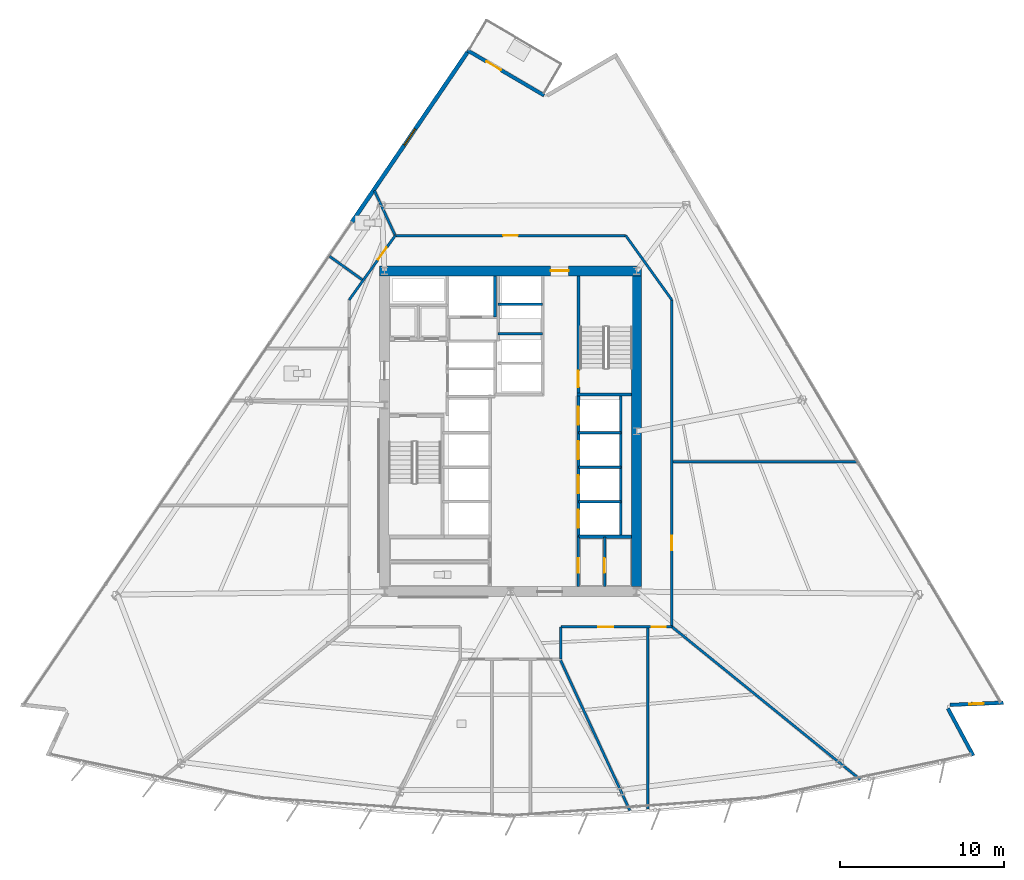
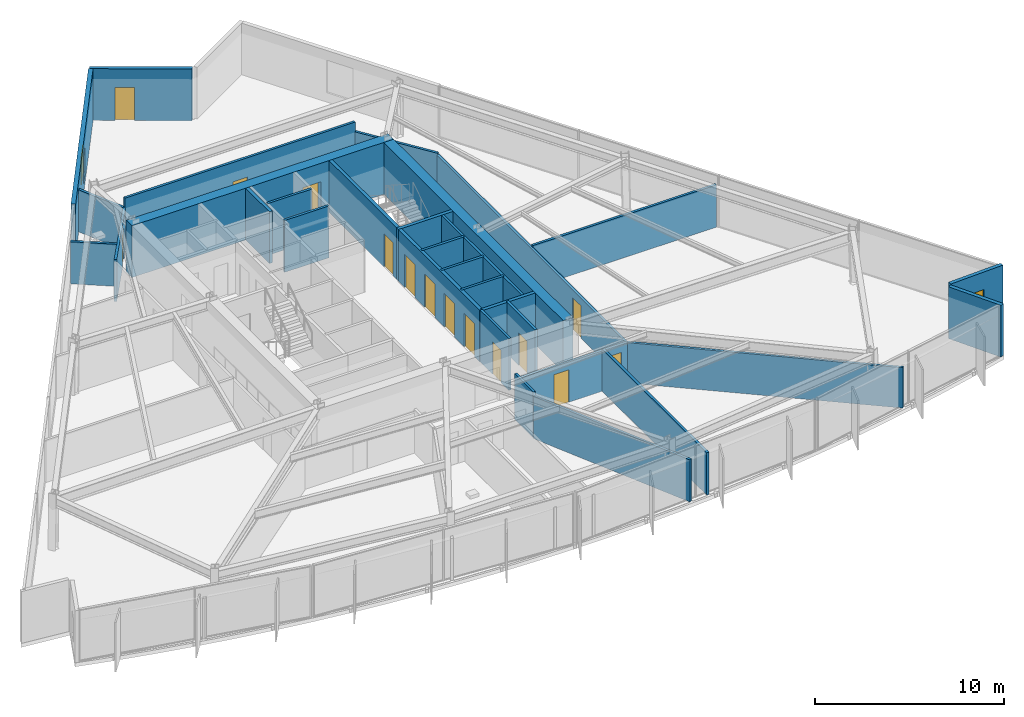
# One storey, part 10 of 18: 31 walls, 14 doors, 2 windows, 16 openings.
"""IFC4 building model written with IfcOpenShell, lengths in metres."""

import ifcopenshell
import ifcopenshell.guid

model = None  # the IFC model being written
_history = None  # IfcOwnerHistory: only IFC2X3 demands one
_inside = {}  # id of a spatial element -> (the spatial element, [elements in it])
_under = {}  # id of a project, library or spatial element -> (it, [spatial elements below it])
_declared = {}  # id of a project -> (the project, [libraries it declares])
_typed = {}  # id of a type object -> (the type object, [elements of that type])
_made_of = {}  # id of a material, layer set ... -> (it, [elements and type objects made of it])


def new_model(schema):
    """Start an empty IFC model of exactly this schema.

    Asked for "IFC4X3", IfcOpenShell would pick the latest addendum, in which some entities
    have other attributes; the version numbers below select the first issue.
    IFC2X3 requires an IfcOwnerHistory on every rooted entity: one is made here for all.
    """
    global model, _history
    if schema == "IFC4X3":
        model = ifcopenshell.file(schema_version=(4, 3, 0, 0))
    else:
        model = ifcopenshell.file(schema=schema)
    _inside.clear()
    _under.clear()
    _declared.clear()
    _typed.clear()
    _made_of.clear()
    _history = None
    if model.schema == "IFC2X3":
        org = make("IfcOrganization", Name="unknown")
        user = make(
            "IfcPersonAndOrganization",
            ThePerson=make("IfcPerson", FamilyName="unknown"),
            TheOrganization=org,
        )
        app = make(
            "IfcApplication",
            ApplicationDeveloper=org,
            Version="unknown",
            ApplicationFullName="unknown",
            ApplicationIdentifier="unknown",
        )
        _history = make(
            "IfcOwnerHistory",
            OwningUser=user,
            OwningApplication=app,
            ChangeAction="ADDED",
            CreationDate=0,
        )
    return model


def make(cls, **values):
    """One entity of the class cls with the attributes given. An attribute that is None is left unset."""
    return model.create_entity(
        cls, **{name: value for name, value in values.items() if value is not None}
    )


def rooted(cls, **values):
    """An entity with a GlobalId (a new one), such as an element, a storey or a relation."""
    return make(cls, GlobalId=ifcopenshell.guid.new(), OwnerHistory=_history, **values)


def si_unit(unit_type, name, prefix=None):
    """IfcSIUnit, for example si_unit("LENGTHUNIT", "METRE", prefix="MILLI")."""
    return make("IfcSIUnit", UnitType=unit_type, Prefix=prefix, Name=name)


def assignment(units):
    """IfcUnitAssignment: the units of a project."""
    return None if units is None else make("IfcUnitAssignment", Units=units)


def point(xyz):
    """IfcCartesianPoint."""
    return None if xyz is None else make("IfcCartesianPoint", Coordinates=xyz)


def direction(xyz):
    """IfcDirection."""
    return None if xyz is None else make("IfcDirection", DirectionRatios=xyz)


def frame(location, z_axis=None, x_axis=None):
    """IfcAxis2Placement3D, a coordinate frame: its origin and axes. An axis left out is left unset."""
    return make(
        "IfcAxis2Placement3D",
        Location=point(location),
        Axis=direction(z_axis),
        RefDirection=direction(x_axis),
    )


def frame_2d(location, x_axis=None):
    """IfcAxis2Placement2D, a coordinate frame in the plane: its origin and x axis."""
    return make(
        "IfcAxis2Placement2D", Location=point(location), RefDirection=direction(x_axis)
    )


def origin():
    """The frame at (0, 0, 0) with its axes left unset."""
    return frame((0.0, 0.0, 0.0))


def place(relative_to, where):
    """IfcLocalPlacement: puts the frame where relative to a parent placement (None: the world)."""
    return make(
        "IfcLocalPlacement", PlacementRelTo=relative_to, RelativePlacement=where
    )


def context(
    kind, dimensions, precision=None, world=None, true_north=None, identifier=None
):
    """IfcGeometricRepresentationContext, for example the 3D "Model" context."""
    return make(
        "IfcGeometricRepresentationContext",
        ContextIdentifier=identifier,
        ContextType=kind,
        CoordinateSpaceDimension=dimensions,
        Precision=precision,
        WorldCoordinateSystem=world,
        TrueNorth=true_north,
    )


def subcontext(parent, identifier, kind, view, scale=None):
    """IfcGeometricRepresentationSubContext, for example "Body" below "Model"."""
    return make(
        "IfcGeometricRepresentationSubContext",
        ContextIdentifier=identifier,
        ContextType=kind,
        ParentContext=parent,
        TargetScale=scale,
        TargetView=view,
    )


def project(units=None, contexts=None):
    """IfcProject with its units and contexts."""
    return rooted(
        "IfcProject",
        Name="project",
        RepresentationContexts=contexts,
        UnitsInContext=assignment(units),
    )


def spatial(cls, under=None, at=None, **own):
    """A site, building, storey or space (cls), placed at a placement, below another one or the project."""
    s = rooted(cls, ObjectPlacement=at, **own)
    if under is not None:
        _under.setdefault(under.id(), (under, []))[1].append(s)
    return s


def profile(cls, at=None, kind="AREA", **sizes):
    """A parametric profile (cls). Its sizes go by their IFC names, for example OverallWidth=200.0."""
    return make(cls, ProfileType=kind, Position=at, **sizes)


def rectangle(**sizes):
    """IfcRectangleProfileDef."""
    return profile("IfcRectangleProfileDef", **sizes)


def extrude(swept, where, along, depth):
    """IfcExtrudedAreaSolid: the profile swept, set in the frame where, extruded along a direction by depth."""
    return make(
        "IfcExtrudedAreaSolid",
        SweptArea=swept,
        Position=where,
        ExtrudedDirection=direction(along),
        Depth=depth,
    )


def shape(context_of_items, identifier, shape_type, items):
    """IfcShapeRepresentation: the items that make up one representation, for example the "Body"."""
    return make(
        "IfcShapeRepresentation",
        ContextOfItems=context_of_items,
        RepresentationIdentifier=identifier,
        RepresentationType=shape_type,
        Items=items,
    )


def material(Name=None, Category=None):
    """IfcMaterial."""
    return make("IfcMaterial", Name=Name, Category=Category)


def layer(
    of_material, thickness, ventilated=None, Name=None, Category=None, Priority=None
):
    """IfcMaterialLayer: one layer of a wall or slab, of a material (None: an air gap)."""
    return make(
        "IfcMaterialLayer",
        Material=of_material,
        LayerThickness=thickness,
        IsVentilated=ventilated,
        Name=Name,
        Category=Category,
        Priority=Priority,
    )


def layer_set(layers, Name=None):
    """IfcMaterialLayerSet."""
    return make("IfcMaterialLayerSet", MaterialLayers=layers, LayerSetName=Name)


def made_of(thing, what):
    """Note that an element or type object is made of a material, layer set ...; save() writes the relation."""
    if what is not None:
        _made_of.setdefault(what.id(), (what, []))[1].append(thing)
    return thing


def type_object(cls, material=None, **own):
    """A type object (cls), such as IfcWallType, which elements share."""
    return made_of(rooted(cls, **own), material)


def element(
    cls,
    number,
    at=None,
    inside=None,
    cuts=None,
    type_object=None,
    material=None,
    context=None,
    identifier="Body",
    shape_type=None,
    held_by="IfcProductDefinitionShape",
    body=None,
    shapes=None,
    **own,
):
    """One element of the class cls, such as IfcWall. Its Tag is "e" and its number.

    at: its placement. inside: the storey or other place that contains it. cuts: it is an
    opening in that element (IfcRelVoidsElement). A single representation is given by context,
    identifier, shape_type and body (its items); several are given by shapes. held_by: the class
    of the entity that holds the representations. save() writes the other relations.
    """
    e = rooted(cls, Tag="e%d" % number, ObjectPlacement=at, **own)
    if body is not None:
        shapes = [shape(context, identifier, shape_type, body)]
    if shapes is not None:
        e.Representation = make(held_by, Representations=shapes)
    if inside is not None:
        _inside.setdefault(inside.id(), (inside, []))[1].append(e)
    if cuts is not None:
        rooted(
            "IfcRelVoidsElement", RelatingBuildingElement=cuts, RelatedOpeningElement=e
        )
    if type_object is not None:
        _typed.setdefault(type_object.id(), (type_object, []))[1].append(e)
    return made_of(e, material)


def fill(opening, filler):
    """IfcRelFillsElement: the door or window that sits in an opening."""
    return rooted(
        "IfcRelFillsElement",
        RelatingOpeningElement=opening,
        RelatedBuildingElement=filler,
    )


def aggregate(whole, parts):
    """IfcRelAggregates: a whole, such as a stair, and the parts it consists of."""
    return rooted("IfcRelAggregates", RelatingObject=whole, RelatedObjects=parts)


def save(model, path):
    """Write the relations noted so far, then the file.

    IfcRelAggregates (storeys below a building ...), IfcRelContainedInSpatialStructure (elements
    in a storey), IfcRelDefinesByType, IfcRelAssociatesMaterial and IfcRelDeclares: one each for
    every whole, place, type object, material and project.
    """
    for whole, parts in _under.values():
        aggregate(whole, parts)
    for where, things in _inside.values():
        rooted(
            "IfcRelContainedInSpatialStructure",
            RelatedElements=things,
            RelatingStructure=where,
        )
    for kind, things in _typed.values():
        rooted("IfcRelDefinesByType", RelatedObjects=things, RelatingType=kind)
    for what, things in _made_of.values():
        rooted("IfcRelAssociatesMaterial", RelatedObjects=things, RelatingMaterial=what)
    for by, libraries in _declared.values():
        rooted("IfcRelDeclares", RelatingContext=by, RelatedDefinitions=libraries)
    model.write(path)


model = new_model("IFC4")

# Units and contexts
model_context = context("Model", 3, precision=1e-05, world=origin(), true_north=direction((0.0, 1.0)))
body_context = subcontext(model_context, "Body", "Model", "MODEL_VIEW")
ifc_project = project(units=[si_unit("LENGTHUNIT", "METRE"), si_unit("AREAUNIT", "SQUARE_METRE"), si_unit("VOLUMEUNIT", "CUBIC_METRE"), si_unit("PLANEANGLEUNIT", "RADIAN"), si_unit("MASSUNIT", "GRAM", prefix="KILO")], contexts=[model_context])

# Site, building, storey
site_placement = place(None, origin())
site = spatial("IfcSite", under=ifc_project, at=site_placement, CompositionType="ELEMENT")
building_placement = place(site_placement, origin())
building = spatial("IfcBuilding", under=site, at=building_placement, Name="Savorim Split Tower", CompositionType="ELEMENT")
storey_placement = place(building_placement, frame((0.0, 0.0, 37.199951171875)))
storey = spatial("IfcBuildingStorey", under=building, at=storey_placement, Name="L09", CompositionType="ELEMENT", Elevation=37.199951171875)

# Wall, opening, door
ifc_material_1 = material(Name="Concrete C60/75", Category="concrete")
ifc_layer_1 = layer(ifc_material_1, 0.60009765625)
ifc_layer_set_1 = layer_set([ifc_layer_1], Name="WAL-COR-SH600")
wall_type_1 = type_object("IfcWallType", Name="WAL-COR-SH600", PredefinedType="SHEAR", material=ifc_layer_set_1)
wall_1_placement = place(storey_placement, frame((8.0, 10.199951171875, 0.0), z_axis=(0.0, 0.0, 1.0), x_axis=(-1.0, 0.0, 0.0)))
wall_1 = element("IfcWall", 1, at=wall_1_placement, inside=storey, type_object=wall_type_1, Name="L09 Offset Core North Shear Wall", PredefinedType="SHEAR", context=body_context, shape_type="SweptSolid", body=[
    extrude(rectangle(XDim=16.0, YDim=0.60009765625, at=frame_2d((8.0, 0.0))), origin(), (0.0, 0.0, 1.0), 3.35009765625),
])
opening_1_placement = place(wall_1_placement, frame((4.449951171875, 0.0, 0.0)))
opening_1 = element("IfcOpeningElement", 2, at=opening_1_placement, cuts=wall_1, Name="Opening DI-03", PredefinedType="OPENING", context=body_context, shape_type="SweptSolid", body=[
    extrude(rectangle(XDim=1.10009765625, YDim=2.14990234375, at=frame_2d((0.550048828125, 1.074951171875))), frame((0.0, 0.31005859375, 0.0), z_axis=(0.0, -1.0, 0.0), x_axis=(1.0, 0.0, 0.0)), (0.0, 0.0, 1.0), 0.6201171875),
])
ifc_material_2 = material(Name="Timber Fire Door Leaf", Category="wood")
door_type_1 = type_object("IfcDoorType", Name="DOR-FIR-1100", OperationType="NOTDEFINED", PredefinedType="DOOR", material=ifc_material_2)
door_1_placement = place(opening_1_placement, origin())
door_1 = element("IfcDoor", 3, at=door_1_placement, inside=storey, type_object=door_type_1, Name="DOR-L09-COR-NLOB - L09 North Corridor Lobby Fire Door", OperationType="SINGLE_SWING_RIGHT", OverallHeight=2.14990234375, OverallWidth=1.10009765625, PredefinedType="DOOR", context=body_context, shape_type="SweptSolid", body=[
    extrude(rectangle(XDim=1.10009765625, YDim=2.14990234375, at=frame_2d((0.550048828125, 1.074951171875))), frame((0.0, 0.02490234375, 0.0), z_axis=(0.0, -1.0, 0.0), x_axis=(1.0, 0.0, 0.0)), (0.0, 0.0, 1.0), 0.050048828125),
])
fill(opening_1, door_1)

# Walls
wall_2_placement = place(storey_placement, frame((7.699951171875, 9.89990234375, 0.0), z_axis=(0.0, 0.0, 1.0), x_axis=(0.0, -1.0, 0.0)))
element("IfcWall", 4, at=wall_2_placement, inside=storey, type_object=wall_type_1, Name="L09 Offset Core East Shear Wall", PredefinedType="SHEAR", context=body_context, shape_type="SweptSolid", body=[
    extrude(rectangle(XDim=19.0, YDim=0.60009765625, at=frame_2d((9.5, 0.0))), origin(), (0.0, 0.0, 1.0), 3.35009765625),
])
ifc_material_3 = material(Name="Precast concrete C40/50", Category="concrete")
ifc_layer_2 = layer(ifc_material_3, 0.219970703125)
ifc_layer_set_2 = layer_set([ifc_layer_2], Name="WAL-EXT-CRN220")
wall_type_2 = type_object("IfcWallType", Name="WAL-EXT-CRN220", PredefinedType="SOLIDWALL", material=ifc_layer_set_2)
wall_3_placement = place(storey_placement, frame((26.729248046875, -16.5400390625, 0.0), z_axis=(0.0, 0.0, 1.0), x_axis=(0.472830429959, -0.881153439819, 0.0)))
element("IfcWall", 5, at=wall_3_placement, inside=storey, type_object=wall_type_2, Name="L09 Notched Corner Facade Wall SE1", PredefinedType="SOLIDWALL", context=body_context, shape_type="SweptSolid", body=[
    extrude(rectangle(XDim=3.27001953125, YDim=0.219970703125, at=frame_2d((1.635009765625, 0.0))), origin(), (0.0, 0.0, 1.0), 3.35009765625),
])

# Wall, opening, window
wall_4_placement = place(storey_placement, frame((30.114990234375, -16.1875, 0.0), z_axis=(0.0, 0.0, 1.0), x_axis=(-0.999095638069, -0.042519477791, 0.0)))
wall_4 = element("IfcWall", 6, at=wall_4_placement, inside=storey, type_object=wall_type_2, Name="L09 Notched Corner Facade Wall SE", PredefinedType="SOLIDWALL", context=body_context, shape_type="SweptSolid", body=[
    extrude(rectangle(XDim=3.26708984375, YDim=0.219970703125, at=frame_2d((1.633544921875, 0.0))), origin(), (0.0, 0.0, 1.0), 3.35009765625),
])
opening_2_placement = place(wall_4_placement, frame((1.18359375, 0.0, 0.6201171875)))
opening_2 = element("IfcOpeningElement", 7, at=opening_2_placement, cuts=wall_4, Name="Opening WN-10", PredefinedType="OPENING", context=body_context, shape_type="SweptSolid", body=[
    extrude(rectangle(XDim=0.89990234375, YDim=1.60009765625, at=frame_2d((0.449951171875, 0.800048828125))), frame((0.0, 0.119873046875, 0.0), z_axis=(0.0, -1.0, 0.0), x_axis=(1.0, 0.0, 0.0)), (0.0, 0.0, 1.0), 0.239990234375),
])
ifc_material_4 = material(Name="Low-E Operable Double Glazing", Category="glass")
window_type_1 = type_object("IfcWindowType", Name="WIN-TWR-900x1600", PartitioningType="SINGLE_PANEL", PredefinedType="WINDOW", material=ifc_material_4)
window_1_placement = place(opening_2_placement, origin())
window_1 = element("IfcWindow", 8, at=window_1_placement, inside=storey, type_object=window_type_1, Name="L09 Operable Corner Window SE", OverallHeight=1.60009765625, OverallWidth=0.89990234375, PartitioningType="SINGLE_PANEL", PredefinedType="WINDOW", context=body_context, shape_type="SweptSolid", body=[
    extrude(rectangle(XDim=0.89990234375, YDim=1.60009765625, at=frame_2d((0.449951171875, 0.800048828125))), frame((0.0, 0.030029296875, 0.0), z_axis=(0.0, -1.0, 0.0), x_axis=(1.0, 0.0, 0.0)), (0.0, 0.0, 1.0), 0.06005859375),
])
fill(opening_2, window_1)

# Wall, opening, door
wall_5_placement = place(storey_placement, frame((-2.634765625, 23.681396484375, 0.0), z_axis=(0.0, 0.0, 1.0), x_axis=(0.862126841454, -0.506692519428, 0.0)))
wall_5 = element("IfcWall", 9, at=wall_5_placement, inside=storey, type_object=wall_type_2, Name="L09 Notched Corner Facade Wall N", PredefinedType="SOLIDWALL", context=body_context, shape_type="SweptSolid", body=[
    extrude(rectangle(XDim=5.439453125, YDim=0.219970703125, at=frame_2d((2.7197265625, 0.0))), origin(), (0.0, 0.0, 1.0), 3.35009765625),
])
opening_3_placement = place(wall_5_placement, frame((1.3447265625, 0.0, 0.0)))
opening_3 = element("IfcOpeningElement", 10, at=opening_3_placement, cuts=wall_5, Name="Opening DB-01", PredefinedType="OPENING", context=body_context, shape_type="SweptSolid", body=[
    extrude(rectangle(XDim=1.050048828125, YDim=2.14990234375, at=frame_2d((0.52490234375, 1.074951171875))), frame((0.0, 0.119873046875, 0.0), z_axis=(0.0, -1.0, 0.0), x_axis=(1.0, 0.0, 0.0)), (0.0, 0.0, 1.0), 0.239990234375),
])
ifc_material_5 = material(Name="Charcoal Anodised Aluminium", Category="aluminium")
door_type_2 = type_object("IfcDoorType", Name="DOR-BAL-1050", OperationType="NOTDEFINED", PredefinedType="DOOR", material=ifc_material_5)
door_2_placement = place(opening_3_placement, origin())
door_2 = element("IfcDoor", 11, at=door_2_placement, inside=storey, type_object=door_type_2, Name="DOR-L09-TBAL-N - L09 Planted Tree Balcony Door N", OperationType="SINGLE_SWING_RIGHT", OverallHeight=2.14990234375, OverallWidth=1.050048828125, PredefinedType="DOOR", context=body_context, shape_type="SweptSolid", body=[
    extrude(rectangle(XDim=1.050048828125, YDim=2.14990234375, at=frame_2d((0.52490234375, 1.074951171875))), frame((0.0, 0.02490234375, 0.0), z_axis=(0.0, -1.0, 0.0), x_axis=(1.0, 0.0, 0.0)), (0.0, 0.0, 1.0), 0.050048828125),
])
fill(opening_3, door_2)

# Wall, opening, window
ifc_layer_3 = layer(ifc_material_3, 0.25)
ifc_layer_set_3 = layer_set([ifc_layer_3], Name="WAL-EXT-SPN250")
wall_type_3 = type_object("IfcWallType", Name="WAL-EXT-SPN250", PredefinedType="SOLIDWALL", material=ifc_layer_set_3)
wall_6_placement = place(storey_placement, frame((-9.68408203125, 13.19091796875, 0.0), z_axis=(0.0, 0.0, 1.0), x_axis=(0.562473549685, 0.826815279192, 0.0)))
wall_6 = element("IfcWall", 12, at=wall_6_placement, inside=storey, type_object=wall_type_3, Name="L09 West Operable Window Pier", PredefinedType="SOLIDWALL", context=body_context, shape_type="SweptSolid", body=[
    extrude(rectangle(XDim=12.53564453125, YDim=0.25, at=frame_2d((6.267822265625, 0.0))), origin(), (0.0, 0.0, 1.0), 3.35009765625),
])
opening_4_placement = place(wall_6_placement, frame((5.66796875, 0.0, 0.6201171875)))
opening_4 = element("IfcOpeningElement", 13, at=opening_4_placement, cuts=wall_6, Name="Opening WN-08", PredefinedType="OPENING", context=body_context, shape_type="SweptSolid", body=[
    extrude(rectangle(XDim=1.199951171875, YDim=1.800048828125, at=frame_2d((0.60009765625, 0.89990234375))), frame((0.0, 0.135009765625, 0.0), z_axis=(0.0, -1.0, 0.0), x_axis=(1.0, 0.0, 0.0)), (0.0, 0.0, 1.0), 0.27001953125),
])
window_type_2 = type_object("IfcWindowType", Name="WIN-TWR-1200x1800", PartitioningType="SINGLE_PANEL", PredefinedType="WINDOW", material=ifc_material_4)
window_2_placement = place(opening_4_placement, origin())
window_2 = element("IfcWindow", 14, at=window_2_placement, inside=storey, type_object=window_type_2, Name="L09 West Operable Ventilation Window", OverallHeight=1.800048828125, OverallWidth=1.199951171875, PartitioningType="SINGLE_PANEL", PredefinedType="WINDOW", context=body_context, shape_type="SweptSolid", body=[
    extrude(rectangle(XDim=1.199951171875, YDim=1.800048828125, at=frame_2d((0.60009765625, 0.89990234375))), frame((0.0, 0.030029296875, 0.0), z_axis=(0.0, -1.0, 0.0), x_axis=(1.0, 0.0, 0.0)), (0.0, 0.0, 1.0), 0.06005859375),
])
fill(opening_4, window_2)

# Wall, opening, door
ifc_material_6 = material(Name="Concrete C50/60", Category="concrete")
ifc_layer_4 = layer(ifc_material_6, 0.199951171875)
ifc_layer_set_4 = layer_set([ifc_layer_4], Name="WAL-INT-RC200")
wall_type_4 = type_object("IfcWallType", Name="WAL-INT-RC200", PredefinedType="SOLIDWALL", material=ifc_layer_set_4)
wall_7_placement = place(storey_placement, frame((4.14990234375, 2.75, 0.0), z_axis=(0.0, 0.0, 1.0), x_axis=(0.0, 1.0, 0.0)))
wall_7 = element("IfcWall", 15, at=wall_7_placement, inside=storey, type_object=wall_type_4, Name="L09 Structural Shaft Wall W-L09-CR07", PredefinedType="SOLIDWALL", context=body_context, shape_type="SweptSolid", body=[
    extrude(rectangle(XDim=7.14990234375, YDim=0.199951171875, at=frame_2d((3.574951171875, 0.0))), origin(), (0.0, 0.0, 1.0), 3.35009765625),
])
opening_5_placement = place(wall_7_placement, frame((0.35009765625, 0.0, 0.0)))
opening_5 = element("IfcOpeningElement", 16, at=opening_5_placement, cuts=wall_7, Name="Opening DI-04", PredefinedType="OPENING", context=body_context, shape_type="SweptSolid", body=[
    extrude(rectangle(XDim=1.0, YDim=2.14990234375, at=frame_2d((0.5, 1.074951171875))), frame((0.0, 0.10986328125, 0.0), z_axis=(0.0, -1.0, 0.0), x_axis=(1.0, 0.0, 0.0)), (0.0, 0.0, 1.0), 0.219970703125),
])
door_type_3 = type_object("IfcDoorType", Name="DOR-FIR-1000", OperationType="NOTDEFINED", PredefinedType="DOOR", material=ifc_material_2)
door_3_placement = place(opening_5_placement, origin())
door_3 = element("IfcDoor", 17, at=door_3_placement, inside=storey, type_object=door_type_3, Name="DR-L09-ST2 - L09 Stair ST-2 Enclosure Door", OperationType="SINGLE_SWING_RIGHT", OverallHeight=2.14990234375, OverallWidth=1.0, PredefinedType="DOOR", context=body_context, shape_type="SweptSolid", body=[
    extrude(rectangle(XDim=1.0, YDim=2.14990234375, at=frame_2d((0.5, 1.074951171875))), frame((0.0, 0.02490234375, 0.0), z_axis=(0.0, -1.0, 0.0), x_axis=(1.0, 0.0, 0.0)), (0.0, 0.0, 1.0), 0.050048828125),
])
fill(opening_5, door_3)

# Walls
wall_8_placement = place(storey_placement, frame((4.050048828125, 2.64990234375, 0.0), z_axis=(0.0, 0.0, 1.0), x_axis=(1.0, 0.0, 0.0)))
element("IfcWall", 18, at=wall_8_placement, inside=storey, type_object=wall_type_4, Name="L09 Structural Shaft Wall W-L09-CR08", PredefinedType="SOLIDWALL", context=body_context, shape_type="SweptSolid", body=[
    extrude(rectangle(XDim=3.349853515625, YDim=0.199951171875, at=frame_2d((1.6748046875, 0.0))), origin(), (0.0, 0.0, 1.0), 3.35009765625),
])
wall_9_placement = place(storey_placement, frame((-0.949951171875, 7.3798828125, 0.0), z_axis=(0.0, 0.0, 1.0), x_axis=(0.0, 1.0, 0.0)))
element("IfcWall", 19, at=wall_9_placement, inside=storey, type_object=wall_type_4, Name="L09 Partition W-L09-SVLE", PredefinedType="SOLIDWALL", context=body_context, shape_type="SweptSolid", body=[
    extrude(rectangle(XDim=2.51513671875, YDim=0.199951171875, at=frame_2d((1.257568359375, 0.0))), origin(), (0.0, 0.0, 1.0), 3.35009765625),
])

# Wall, openings, doors
wall_10_placement = place(storey_placement, frame((4.14990234375, -6.050048828125, 0.0), z_axis=(0.0, 0.0, 1.0), x_axis=(0.0, 1.0, 0.0)))
wall_10 = element("IfcWall", 20, at=wall_10_placement, inside=storey, type_object=wall_type_4, Name="L09 Partition W-L09-B1FRONT", PredefinedType="SOLIDWALL", context=body_context, shape_type="SweptSolid", body=[
    extrude(rectangle(XDim=8.699951171875, YDim=0.199951171875, at=frame_2d((4.35009765625, 0.0))), origin(), (0.0, 0.0, 1.0), 3.35009765625),
])
opening_6_placement = place(wall_10_placement, frame((0.550048828125, 0.0, 0.0)))
opening_6 = element("IfcOpeningElement", 21, at=opening_6_placement, cuts=wall_10, Name="Opening LD-01", PredefinedType="OPENING", context=body_context, shape_type="SweptSolid", body=[
    extrude(rectangle(XDim=1.10009765625, YDim=2.14990234375, at=frame_2d((0.550048828125, 1.074951171875))), frame((0.0, 0.10986328125, 0.0), z_axis=(0.0, -1.0, 0.0), x_axis=(1.0, 0.0, 0.0)), (0.0, 0.0, 1.0), 0.219970703125),
])
opening_7_placement = place(wall_10_placement, frame((2.64990234375, 0.0, 0.0)))
opening_7 = element("IfcOpeningElement", 22, at=opening_7_placement, cuts=wall_10, Name="Opening LD-01", PredefinedType="OPENING", context=body_context, shape_type="SweptSolid", body=[
    extrude(rectangle(XDim=1.10009765625, YDim=2.14990234375, at=frame_2d((0.550048828125, 1.074951171875))), frame((0.0, 0.10986328125, 0.0), z_axis=(0.0, -1.0, 0.0), x_axis=(1.0, 0.0, 0.0)), (0.0, 0.0, 1.0), 0.219970703125),
])
opening_8_placement = place(wall_10_placement, frame((4.75, 0.0, 0.0)))
opening_8 = element("IfcOpeningElement", 23, at=opening_8_placement, cuts=wall_10, Name="Opening LD-01", PredefinedType="OPENING", context=body_context, shape_type="SweptSolid", body=[
    extrude(rectangle(XDim=1.10009765625, YDim=2.14990234375, at=frame_2d((0.550048828125, 1.074951171875))), frame((0.0, 0.10986328125, 0.0), z_axis=(0.0, -1.0, 0.0), x_axis=(1.0, 0.0, 0.0)), (0.0, 0.0, 1.0), 0.219970703125),
])
opening_9_placement = place(wall_10_placement, frame((6.85009765625, 0.0, 0.0)))
opening_9 = element("IfcOpeningElement", 24, at=opening_9_placement, cuts=wall_10, Name="Opening LD-01", PredefinedType="OPENING", context=body_context, shape_type="SweptSolid", body=[
    extrude(rectangle(XDim=1.10009765625, YDim=2.14990234375, at=frame_2d((0.550048828125, 1.074951171875))), frame((0.0, 0.10986328125, 0.0), z_axis=(0.0, -1.0, 0.0), x_axis=(1.0, 0.0, 0.0)), (0.0, 0.0, 1.0), 0.219970703125),
])
door_type_4 = type_object("IfcDoorType", Name="DOR-SLD-LD1100", OperationType="NOTDEFINED", PredefinedType="DOOR", material=ifc_material_5)
door_4_placement = place(opening_6_placement, origin())
door_4 = element("IfcDoor", 25, at=door_4_placement, inside=storey, type_object=door_type_4, Name="DR-L09-LD-PLL1 - L09 Lift PL-L1 Sliding Landing Door", OperationType="DOUBLE_DOOR_SLIDING", OverallHeight=2.14990234375, OverallWidth=1.10009765625, PredefinedType="DOOR", context=body_context, shape_type="SweptSolid", body=[
    extrude(rectangle(XDim=1.10009765625, YDim=2.14990234375, at=frame_2d((0.550048828125, 1.074951171875))), frame((0.0, 0.02490234375, 0.0), z_axis=(0.0, -1.0, 0.0), x_axis=(1.0, 0.0, 0.0)), (0.0, 0.0, 1.0), 0.050048828125),
])
fill(opening_6, door_4)
door_5_placement = place(opening_7_placement, origin())
door_5 = element("IfcDoor", 26, at=door_5_placement, inside=storey, type_object=door_type_4, Name="DR-L09-LD-PLL2 - L09 Lift PL-L2 Sliding Landing Door", OperationType="DOUBLE_DOOR_SLIDING", OverallHeight=2.14990234375, OverallWidth=1.10009765625, PredefinedType="DOOR", context=body_context, shape_type="SweptSolid", body=[
    extrude(rectangle(XDim=1.10009765625, YDim=2.14990234375, at=frame_2d((0.550048828125, 1.074951171875))), frame((0.0, 0.02490234375, 0.0), z_axis=(0.0, -1.0, 0.0), x_axis=(1.0, 0.0, 0.0)), (0.0, 0.0, 1.0), 0.050048828125),
])
fill(opening_7, door_5)
door_6_placement = place(opening_8_placement, origin())
door_6 = element("IfcDoor", 27, at=door_6_placement, inside=storey, type_object=door_type_4, Name="DR-L09-LD-PLL3 - L09 Lift PL-L3 Sliding Landing Door", OperationType="DOUBLE_DOOR_SLIDING", OverallHeight=2.14990234375, OverallWidth=1.10009765625, PredefinedType="DOOR", context=body_context, shape_type="SweptSolid", body=[
    extrude(rectangle(XDim=1.10009765625, YDim=2.14990234375, at=frame_2d((0.550048828125, 1.074951171875))), frame((0.0, 0.02490234375, 0.0), z_axis=(0.0, -1.0, 0.0), x_axis=(1.0, 0.0, 0.0)), (0.0, 0.0, 1.0), 0.050048828125),
])
fill(opening_8, door_6)
door_7_placement = place(opening_9_placement, origin())
door_7 = element("IfcDoor", 28, at=door_7_placement, inside=storey, type_object=door_type_4, Name="DR-L09-LD-PLL4 - L09 Lift PL-L4 Sliding Landing Door", OperationType="DOUBLE_DOOR_SLIDING", OverallHeight=2.14990234375, OverallWidth=1.10009765625, PredefinedType="DOOR", context=body_context, shape_type="SweptSolid", body=[
    extrude(rectangle(XDim=1.10009765625, YDim=2.14990234375, at=frame_2d((0.550048828125, 1.074951171875))), frame((0.0, 0.02490234375, 0.0), z_axis=(0.0, -1.0, 0.0), x_axis=(1.0, 0.0, 0.0)), (0.0, 0.0, 1.0), 0.050048828125),
])
fill(opening_9, door_7)

# Walls
wall_11_placement = place(storey_placement, frame((4.14990234375, -6.050048828125, 0.0), z_axis=(0.0, 0.0, 1.0), x_axis=(1.0, 0.0, 0.0)))
element("IfcWall", 29, at=wall_11_placement, inside=storey, type_object=wall_type_4, Name="L09 Partition W-L09-KSEP-E", PredefinedType="SOLIDWALL", context=body_context, shape_type="SweptSolid", body=[
    extrude(rectangle(XDim=3.2451171875, YDim=0.199951171875, at=frame_2d((1.62255859375, 0.0))), origin(), (0.0, 0.0, 1.0), 3.35009765625),
])
ifc_material_7 = material(Name="Acoustic Gypsum Partition Board")
ifc_layer_5 = layer(ifc_material_7, 0.14990234375)
ifc_layer_set_5 = layer_set([ifc_layer_5], Name="WAL-PAR-150")
wall_type_5 = type_object("IfcWallType", Name="WAL-PAR-150", PredefinedType="PARTITIONING", material=ifc_layer_set_5)
wall_12_placement = place(storey_placement, frame((6.75, -6.050048828125, 0.0), z_axis=(0.0, 0.0, 1.0), x_axis=(0.0, 1.0, 0.0)))
element("IfcWall", 30, at=wall_12_placement, inside=storey, type_object=wall_type_5, Name="L09 Partition W-L09-B1BACK", PredefinedType="PARTITIONING", context=body_context, shape_type="SweptSolid", body=[
    extrude(rectangle(XDim=8.699951171875, YDim=0.14990234375, at=frame_2d((4.35009765625, 0.0))), origin(), (0.0, 0.0, 1.0), 3.35009765625),
])
for number, where, z_axis, x_axis, name in (
    (31, (4.14990234375, -3.89990234375, 0.0), (0.0, 0.0, 1.0), (1.0, 0.0, 0.0), "L09 Partition W-L09-B1DIV1"),
    (32, (4.14990234375, -1.800048828125, 0.0), (0.0, 0.0, 1.0), (1.0, 0.0, 0.0), "L09 Partition W-L09-B1DIV2"),
    (33, (4.14990234375, 0.300048828125, 0.0), (0.0, 0.0, 1.0), (1.0, 0.0, 0.0), "L09 Partition W-L09-B1DIV3"),
):
    element("IfcWall", number, at=place(storey_placement, frame(where, z_axis=z_axis, x_axis=x_axis)), inside=storey, type_object=wall_type_5, Name=name, PredefinedType="PARTITIONING", context=body_context, shape_type="SweptSolid", body=[
        extrude(rectangle(XDim=2.60009765625, YDim=0.14990234375, at=frame_2d((1.300048828125, 0.0))), origin(), (0.0, 0.0, 1.0), 3.35009765625),
    ])
for number, where, z_axis, x_axis, name in (
    (34, (-0.75, 6.35009765625, 0.0), (0.0, 0.0, 1.0), (1.0, 0.0, 0.0), "L09 Partition W-L09-B3DIV2"),
    (35, (-0.75, 8.14990234375, 0.0), (0.0, 0.0, 1.0), (1.0, 0.0, 0.0), "L09 Partition W-L09-B3DIV3"),
):
    element("IfcWall", number, at=place(storey_placement, frame(where, z_axis=z_axis, x_axis=x_axis)), inside=storey, type_object=wall_type_5, Name=name, PredefinedType="PARTITIONING", context=body_context, shape_type="SweptSolid", body=[
        extrude(rectangle(XDim=2.699951171875, YDim=0.14990234375, at=frame_2d((1.35009765625, 0.0))), origin(), (0.0, 0.0, 1.0), 3.35009765625),
    ])

# Wall, opening, door
wall_13_placement = place(storey_placement, frame((4.14990234375, -9.094970703125, 0.0), z_axis=(0.0, 0.0, 1.0), x_axis=(0.0, 1.0, 0.0)))
wall_13 = element("IfcWall", 36, at=wall_13_placement, inside=storey, type_object=wall_type_5, Name="L09 Partition W-L09-KLOB-E", PredefinedType="PARTITIONING", context=body_context, shape_type="SweptSolid", body=[
    extrude(rectangle(XDim=3.044921875, YDim=0.14990234375, at=frame_2d((1.5224609375, 0.0))), origin(), (0.0, 0.0, 1.0), 3.35009765625),
])
opening_10_placement = place(wall_13_placement, frame((0.844970703125, 0.0, 0.0)))
opening_10 = element("IfcOpeningElement", 37, at=opening_10_placement, cuts=wall_13, Name="Opening DI-06", PredefinedType="OPENING", context=body_context, shape_type="SweptSolid", body=[
    extrude(rectangle(XDim=0.89990234375, YDim=2.10009765625, at=frame_2d((0.449951171875, 1.050048828125))), frame((0.0, 0.0849609375, 0.0), z_axis=(0.0, -1.0, 0.0), x_axis=(1.0, 0.0, 0.0)), (0.0, 0.0, 1.0), 0.169921875),
])
door_type_5 = type_object("IfcDoorType", Name="DOR-FIR-900", OperationType="NOTDEFINED", PredefinedType="DOOR", material=ifc_material_2)
door_8_placement = place(opening_10_placement, origin())
door_8 = element("IfcDoor", 38, at=door_8_placement, inside=storey, type_object=door_type_5, Name="DR-L09-K2PAN - L09 Vending Pantry Door", OperationType="SINGLE_SWING_LEFT", OverallHeight=2.10009765625, OverallWidth=0.89990234375, PredefinedType="DOOR", context=body_context, shape_type="SweptSolid", body=[
    extrude(rectangle(XDim=0.89990234375, YDim=2.10009765625, at=frame_2d((0.449951171875, 1.050048828125))), frame((0.0, 0.02490234375, 0.0), z_axis=(0.0, -1.0, 0.0), x_axis=(1.0, 0.0, 0.0)), (0.0, 0.0, 1.0), 0.050048828125),
])
fill(opening_10, door_8)

wall_14_placement = place(storey_placement, frame((5.75, -9.094970703125, 0.0), z_axis=(0.0, 0.0, 1.0), x_axis=(0.0, 1.0, 0.0)))
wall_14 = element("IfcWall", 39, at=wall_14_placement, inside=storey, type_object=wall_type_5, Name="L09 Partition W-L09-K2E", PredefinedType="PARTITIONING", context=body_context, shape_type="SweptSolid", body=[
    extrude(rectangle(XDim=3.044921875, YDim=0.14990234375, at=frame_2d((1.5224609375, 0.0))), origin(), (0.0, 0.0, 1.0), 3.35009765625),
])
opening_11_placement = place(wall_14_placement, frame((0.844970703125, 0.0, 0.0)))
opening_11 = element("IfcOpeningElement", 40, at=opening_11_placement, cuts=wall_14, Name="Opening DI-06", PredefinedType="OPENING", context=body_context, shape_type="SweptSolid", body=[
    extrude(rectangle(XDim=0.89990234375, YDim=2.10009765625, at=frame_2d((0.449951171875, 1.050048828125))), frame((0.0, 0.0849609375, 0.0), z_axis=(0.0, -1.0, 0.0), x_axis=(1.0, 0.0, 0.0)), (0.0, 0.0, 1.0), 0.169921875),
])
door_9_placement = place(opening_11_placement, origin())
door_9 = element("IfcDoor", 41, at=door_9_placement, inside=storey, type_object=door_type_5, Name="DR-L09-K2REF - L09 Recycling Room Door", OperationType="SINGLE_SWING_RIGHT", OverallHeight=2.10009765625, OverallWidth=0.89990234375, PredefinedType="DOOR", context=body_context, shape_type="SweptSolid", body=[
    extrude(rectangle(XDim=0.89990234375, YDim=2.10009765625, at=frame_2d((0.449951171875, 1.050048828125))), frame((0.0, 0.02490234375, 0.0), z_axis=(0.0, -1.0, 0.0), x_axis=(1.0, 0.0, 0.0)), (0.0, 0.0, 1.0), 0.050048828125),
])
fill(opening_11, door_9)

wall_15_placement = place(storey_placement, frame((-9.860107421875, 8.42578125, 0.0), z_axis=(0.0, 0.0, 1.0), x_axis=(0.582449511476, 0.812866881218, 0.0)))
wall_15 = element("IfcWall", 42, at=wall_15_placement, inside=storey, type_object=wall_type_5, Name="L09 Partition W-L09-COR-02", PredefinedType="PARTITIONING", context=body_context, shape_type="SweptSolid", body=[
    extrude(rectangle(XDim=4.840087890625, YDim=0.14990234375, at=frame_2d((2.419921875, 0.0))), origin(), (0.0, 0.0, 1.0), 2.72509765625),
])
opening_12_placement = place(wall_15_placement, frame((3.03466796875, 0.0, 0.0)))
opening_12 = element("IfcOpeningElement", 43, at=opening_12_placement, cuts=wall_15, Name="Opening DI-11", PredefinedType="OPENING", context=body_context, shape_type="SweptSolid", body=[
    extrude(rectangle(XDim=0.89990234375, YDim=2.10009765625, at=frame_2d((0.449951171875, 1.050048828125))), frame((0.0, 0.0849609375, 0.0), z_axis=(0.0, -1.0, 0.0), x_axis=(1.0, 0.0, 0.0)), (0.0, 0.0, 1.0), 0.169921875),
])
ifc_material_8 = material(Name="Oak Veneer Acoustic Door")
door_type_6 = type_object("IfcDoorType", Name="DOR-WC-900", OperationType="NOTDEFINED", PredefinedType="DOOR", material=ifc_material_8)
door_10_placement = place(opening_12_placement, origin())
door_10 = element("IfcDoor", 44, at=door_10_placement, inside=storey, type_object=door_type_6, Name="DR-L09-RM11 - L09 Shared Bathroom Entry Door", OperationType="SINGLE_SWING_RIGHT", OverallHeight=2.10009765625, OverallWidth=0.89990234375, PredefinedType="DOOR", context=body_context, shape_type="SweptSolid", body=[
    extrude(rectangle(XDim=0.89990234375, YDim=2.10009765625, at=frame_2d((0.449951171875, 1.050048828125))), frame((0.0, 0.02490234375, 0.0), z_axis=(0.0, -1.0, 0.0), x_axis=(1.0, 0.0, 0.0)), (0.0, 0.0, 1.0), 0.050048828125),
])
fill(opening_12, door_10)

wall_16_placement = place(storey_placement, frame((-7.041015625, 12.360107421875, 0.0), z_axis=(0.0, 0.0, 1.0), x_axis=(1.0, 0.0, 0.0)))
wall_16 = element("IfcWall", 45, at=wall_16_placement, inside=storey, type_object=wall_type_5, Name="L09 Partition W-L09-COR-03", PredefinedType="PARTITIONING", context=body_context, shape_type="SweptSolid", body=[
    extrude(rectangle(XDim=14.08203125, YDim=0.14990234375, at=frame_2d((7.041015625, 0.0))), origin(), (0.0, 0.0, 1.0), 3.35009765625),
])
opening_13_placement = place(wall_16_placement, frame((6.591064453125, 0.0, 0.0)))
opening_13 = element("IfcOpeningElement", 46, at=opening_13_placement, cuts=wall_16, Name="Opening DI-06", PredefinedType="OPENING", context=body_context, shape_type="SweptSolid", body=[
    extrude(rectangle(XDim=0.89990234375, YDim=2.10009765625, at=frame_2d((0.449951171875, 1.050048828125))), frame((0.0, 0.0849609375, 0.0), z_axis=(0.0, -1.0, 0.0), x_axis=(1.0, 0.0, 0.0)), (0.0, 0.0, 1.0), 0.169921875),
])
door_11_placement = place(opening_13_placement, origin())
door_11 = element("IfcDoor", 47, at=door_11_placement, inside=storey, type_object=door_type_5, Name="DR-L09-RM10 - L09 Co-Working Commons Entry Door", OperationType="SINGLE_SWING_LEFT", OverallHeight=2.10009765625, OverallWidth=0.89990234375, PredefinedType="DOOR", context=body_context, shape_type="SweptSolid", body=[
    extrude(rectangle(XDim=0.89990234375, YDim=2.10009765625, at=frame_2d((0.449951171875, 1.050048828125))), frame((0.0, 0.02490234375, 0.0), z_axis=(0.0, -1.0, 0.0), x_axis=(1.0, 0.0, 0.0)), (0.0, 0.0, 1.0), 0.050048828125),
])
fill(opening_13, door_11)

# Wall
wall_17_placement = place(storey_placement, frame((7.041015625, 12.360107421875, 0.0), z_axis=(0.0, 0.0, 1.0), x_axis=(0.582449511476, -0.812866881218, 0.0)))
element("IfcWall", 48, at=wall_17_placement, inside=storey, type_object=wall_type_5, Name="L09 Partition W-L09-COR-04", PredefinedType="PARTITIONING", context=body_context, shape_type="SweptSolid", body=[
    extrude(rectangle(XDim=4.840087890625, YDim=0.14990234375, at=frame_2d((2.419921875, 0.0))), origin(), (0.0, 0.0, 1.0), 2.72509765625),
])

# Wall, opening, door
wall_18_placement = place(storey_placement, frame((9.860107421875, 8.42578125, 0.0), z_axis=(0.0, 0.0, 1.0), x_axis=(0.0, -1.0, 0.0)))
wall_18 = element("IfcWall", 49, at=wall_18_placement, inside=storey, type_object=wall_type_5, Name="L09 Partition W-L09-COR-05", PredefinedType="PARTITIONING", context=body_context, shape_type="SweptSolid", body=[
    extrude(rectangle(XDim=19.98583984375, YDim=0.14990234375, at=frame_2d((9.992919921875, 0.0))), origin(), (0.0, 0.0, 1.0), 2.609130859375),
])
opening_14_placement = place(wall_18_placement, frame((14.399169921875, 0.0, 0.0)))
opening_14 = element("IfcOpeningElement", 50, at=opening_14_placement, cuts=wall_18, Name="Opening DI-06", PredefinedType="OPENING", context=body_context, shape_type="SweptSolid", body=[
    extrude(rectangle(XDim=0.89990234375, YDim=2.10009765625, at=frame_2d((0.449951171875, 1.050048828125))), frame((0.0, 0.0849609375, 0.0), z_axis=(0.0, -1.0, 0.0), x_axis=(1.0, 0.0, 0.0)), (0.0, 0.0, 1.0), 0.169921875),
])
door_12_placement = place(opening_14_placement, origin())
door_12 = element("IfcDoor", 51, at=door_12_placement, inside=storey, type_object=door_type_5, Name="DR-L09-RM09 - L09 Co-Working Commons Entry Door", OperationType="SINGLE_SWING_RIGHT", OverallHeight=2.10009765625, OverallWidth=0.89990234375, PredefinedType="DOOR", context=body_context, shape_type="SweptSolid", body=[
    extrude(rectangle(XDim=0.89990234375, YDim=2.10009765625, at=frame_2d((0.449951171875, 1.050048828125))), frame((0.0, 0.02490234375, 0.0), z_axis=(0.0, -1.0, 0.0), x_axis=(1.0, 0.0, 0.0)), (0.0, 0.0, 1.0), 0.050048828125),
])
fill(opening_14, door_12)

# Wall, openings, doors
wall_19_placement = place(storey_placement, frame((9.860107421875, -11.56005859375, 0.0), z_axis=(0.0, 0.0, 1.0), x_axis=(-1.0, 0.0, 0.0)))
wall_19 = element("IfcWall", 52, at=wall_19_placement, inside=storey, type_object=wall_type_5, Name="L09 Partition W-L09-COR-06", PredefinedType="PARTITIONING", context=body_context, shape_type="SweptSolid", body=[
    extrude(rectangle(XDim=6.780029296875, YDim=0.14990234375, at=frame_2d((3.39013671875, 0.0))), origin(), (0.0, 0.0, 1.0), 2.609130859375),
])
opening_15_placement = place(wall_19_placement, frame((3.584716796875, 0.0, 0.0)))
opening_15 = element("IfcOpeningElement", 53, at=opening_15_placement, cuts=wall_19, Name="Opening DI-06", PredefinedType="OPENING", context=body_context, shape_type="SweptSolid", body=[
    extrude(rectangle(XDim=0.89990234375, YDim=2.10009765625, at=frame_2d((0.449951171875, 1.050048828125))), frame((0.0, 0.0849609375, 0.0), z_axis=(0.0, -1.0, 0.0), x_axis=(1.0, 0.0, 0.0)), (0.0, 0.0, 1.0), 0.169921875),
])
opening_16_placement = place(wall_19_placement, frame((0.373046875, 0.0, 0.0)))
opening_16 = element("IfcOpeningElement", 54, at=opening_16_placement, cuts=wall_19, Name="Opening DI-13", PredefinedType="OPENING", context=body_context, shape_type="SweptSolid", body=[
    extrude(rectangle(XDim=0.85009765625, YDim=2.10009765625, at=frame_2d((0.425048828125, 1.050048828125))), frame((0.0, 0.0849609375, 0.0), z_axis=(0.0, -1.0, 0.0), x_axis=(1.0, 0.0, 0.0)), (0.0, 0.0, 1.0), 0.169921875),
])
door_type_7 = type_object("IfcDoorType", Name="DOR-FIR-850", OperationType="NOTDEFINED", PredefinedType="DOOR", material=ifc_material_2)
door_13_placement = place(opening_16_placement, origin())
door_13 = element("IfcDoor", 55, at=door_13_placement, inside=storey, type_object=door_type_7, Name="DR-L09-RM08 - L09 Co-Working Commons Entry Door", OperationType="SINGLE_SWING_LEFT", OverallHeight=2.10009765625, OverallWidth=0.85009765625, PredefinedType="DOOR", context=body_context, shape_type="SweptSolid", body=[
    extrude(rectangle(XDim=0.85009765625, YDim=2.10009765625, at=frame_2d((0.425048828125, 1.050048828125))), frame((0.0, 0.02490234375, 0.0), z_axis=(0.0, -1.0, 0.0), x_axis=(1.0, 0.0, 0.0)), (0.0, 0.0, 1.0), 0.050048828125),
])
fill(opening_16, door_13)
door_14_placement = place(opening_15_placement, origin())
door_14 = element("IfcDoor", 56, at=door_14_placement, inside=storey, type_object=door_type_5, Name="DR-L09-RM07 - L09 Co-Working Commons Entry Door", OperationType="SINGLE_SWING_RIGHT", OverallHeight=2.10009765625, OverallWidth=0.89990234375, PredefinedType="DOOR", context=body_context, shape_type="SweptSolid", body=[
    extrude(rectangle(XDim=0.89990234375, YDim=2.10009765625, at=frame_2d((0.449951171875, 1.050048828125))), frame((0.0, 0.02490234375, 0.0), z_axis=(0.0, -1.0, 0.0), x_axis=(1.0, 0.0, 0.0)), (0.0, 0.0, 1.0), 0.050048828125),
])
fill(opening_15, door_14)

# Walls
wall_20_placement = place(storey_placement, frame((3.080078125, -11.56005859375, 0.0), z_axis=(0.0, 0.0, 1.0), x_axis=(0.0, -1.0, 0.0)))
element("IfcWall", 57, at=wall_20_placement, inside=storey, type_object=wall_type_5, Name="L09 Partition W-L09-COR-07", PredefinedType="PARTITIONING", context=body_context, shape_type="SweptSolid", body=[
    extrude(rectangle(XDim=1.969970703125, YDim=0.14990234375, at=frame_2d((0.98486328125, 0.0))), origin(), (0.0, 0.0, 1.0), 2.965087890625),
])
wall_21_placement = place(storey_placement, frame((3.053466796875, -13.5791015625, 0.0), z_axis=(0.0, 0.0, 1.0), x_axis=(0.418565952327, -0.908186403528, 0.0)))
element("IfcWall", 58, at=wall_21_placement, inside=storey, type_object=wall_type_5, Name="L09 Partition W-L09-PRAD03", PredefinedType="PARTITIONING", context=body_context, shape_type="SweptSolid", body=[
    extrude(rectangle(XDim=10.129150390625, YDim=0.14990234375, at=frame_2d((5.064453125, 0.0))), origin(), (0.0, 0.0, 1.0), 2.72509765625),
])
wall_22_placement = place(storey_placement, frame((9.88818359375, -11.568603515625, 0.0), z_axis=(0.0, 0.0, 1.0), x_axis=(0.776684167017, -0.629890232267, 0.0)))
element("IfcWall", 59, at=wall_22_placement, inside=storey, type_object=wall_type_5, Name="L09 Partition W-L09-PRAD04", PredefinedType="PARTITIONING", context=body_context, shape_type="SweptSolid", body=[
    extrude(rectangle(XDim=14.7919921875, YDim=0.14990234375, at=frame_2d((7.39599609375, 0.0))), origin(), (0.0, 0.0, 1.0), 2.609130859375),
])
wall_23_placement = place(storey_placement, frame((-7.063720703125, 12.404296875, 0.0), z_axis=(0.0, 0.0, 1.0), x_axis=(-0.420495526792, 0.90729461144, 0.0)))
element("IfcWall", 60, at=wall_23_placement, inside=storey, type_object=wall_type_5, Name="L09 Partition W-L09-PRAD08", PredefinedType="PARTITIONING", context=body_context, shape_type="SweptSolid", body=[
    extrude(rectangle(XDim=2.982666015625, YDim=0.14990234375, at=frame_2d((1.4912109375, 0.0))), origin(), (0.0, 0.0, 1.0), 2.72509765625),
])
wall_24_placement = place(storey_placement, frame((-9.053955078125, 9.65380859375, 0.0), z_axis=(0.0, 0.0, 1.0), x_axis=(-0.812868003182, 0.58244794566, 0.0)))
element("IfcWall", 61, at=wall_24_placement, inside=storey, type_object=wall_type_5, Name="L09 Partition W-L09-SUB02", PredefinedType="PARTITIONING", context=body_context, shape_type="SweptSolid", body=[
    extrude(rectangle(XDim=2.46142578125, YDim=0.14990234375, at=frame_2d((1.230712890625, 0.0))), origin(), (0.0, 0.0, 1.0), 2.72509765625),
])
wall_25_placement = place(storey_placement, frame((8.392333984375, -11.6201171875, 0.0), z_axis=(0.0, 0.0, 1.0), x_axis=(0.0, -1.0, 0.0)))
element("IfcWall", 62, at=wall_25_placement, inside=storey, type_object=wall_type_5, Name="L09 Partition W-L09-SUB05", PredefinedType="PARTITIONING", context=body_context, shape_type="SweptSolid", body=[
    extrude(rectangle(XDim=11.079345703125, YDim=0.14990234375, at=frame_2d((5.53955078125, 0.0))), origin(), (0.0, 0.0, 1.0), 2.735107421875),
])
wall_26_placement = place(storey_placement, frame((9.919921875, -1.46533203125, 0.0), z_axis=(0.0, 0.0, 1.0), x_axis=(1.0, 0.0, 0.0)))
element("IfcWall", 63, at=wall_26_placement, inside=storey, type_object=wall_type_5, Name="L09 Partition W-L09-SUB06", PredefinedType="PARTITIONING", context=body_context, shape_type="SweptSolid", body=[
    extrude(rectangle(XDim=11.2177734375, YDim=0.14990234375, at=frame_2d((5.60888671875, 0.0))), origin(), (0.0, 0.0, 1.0), 2.735107421875),
])

save(model, "model.ifc")
